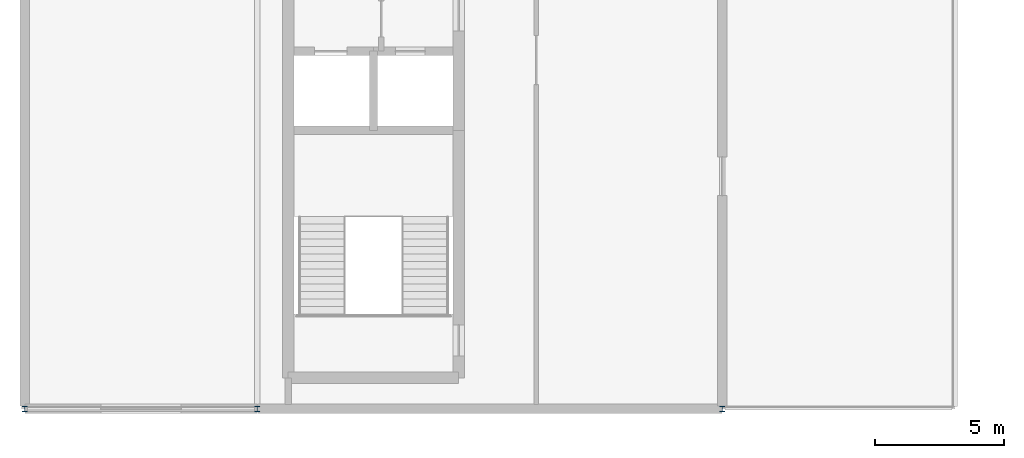
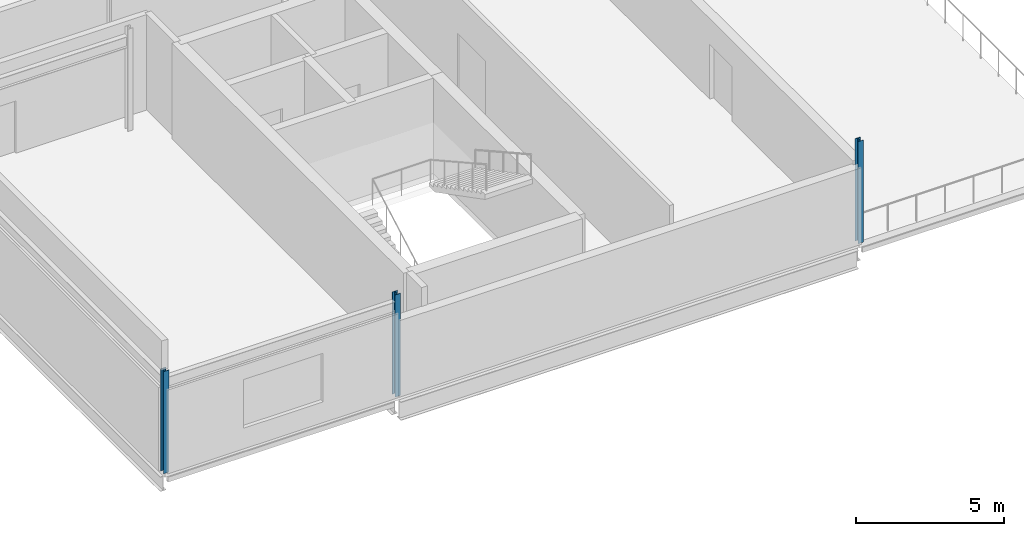
# One storey, part 1 of 23: 3 columns.
"""IFC4 building model written with IfcOpenShell, lengths in metres."""

from ifc_helpers import new_model, si_unit, direction, frame, origin, origin_2d, place, context, subcontext, project, spatial, i_section, extrude, material, material_profile, profile_set, type_object, element, save


model = new_model("IFC4")

# Units and contexts
model_context = context("Model", 3, precision=1e-05, world=origin(), true_north=direction((0.0, 1.0)))
body_context = subcontext(model_context, "Body", "Model", "MODEL_VIEW")
ifc_project = project(units=[si_unit("LENGTHUNIT", "METRE"), si_unit("AREAUNIT", "SQUARE_METRE"), si_unit("VOLUMEUNIT", "CUBIC_METRE"), si_unit("PLANEANGLEUNIT", "RADIAN"), si_unit("MASSUNIT", "GRAM", prefix="KILO")], contexts=[model_context])

# Site, building, storey
site_placement = place(None, origin())
site = spatial("IfcSite", under=ifc_project, at=site_placement, CompositionType="ELEMENT")
building_placement = place(site_placement, origin())
building = spatial("IfcBuilding", under=site, at=building_placement, Name="Kisiwana Market Hall", CompositionType="ELEMENT")
storey_placement = place(building_placement, frame((0.0, 0.0, 65.699951171875)))
storey = spatial("IfcBuildingStorey", under=building, at=storey_placement, Name="L15", CompositionType="ELEMENT", Elevation=65.699951171875)

# Columns
ifc_material = material(Name="Steel S355", Category="steel")
ifc_material_profile = material_profile(ifc_material, i_section(OverallWidth=0.205810546875, OverallDepth=0.209716796875, WebThickness=0.009521484375, FlangeThickness=0.01416015625, FilletRadius=0.01025390625, at=origin_2d()), Name="UC 203x203x60")
ifc_profile_set = profile_set([ifc_material_profile], Name="Steel S355")
column_type = type_object("IfcColumnType", Name="COL-STL-UC060", PredefinedType="COLUMN", material=ifc_profile_set)
for number, where, z_axis, x_axis, name in (
    (1, (0.0, 18.0, 0.0), (0.0, 0.0, 1.0), (1.0, 0.0, 0.0), "Column C/1 (L15) C-1480"),
    (2, (9.0, 18.0, 0.0), (0.0, 0.0, 1.0), (1.0, 0.0, 0.0), "Column C/2 (L15) C-1485"),
    (3, (27.0, 18.0, 0.0), (0.0, 0.0, 1.0), (1.0, 0.0, 0.0), "Column C/4 (L15) C-1489"),
):
    element("IfcColumn", number, at=place(storey_placement, frame(where, z_axis=z_axis, x_axis=x_axis)), inside=storey, type_object=column_type, Name=name, PredefinedType="COLUMN", context=body_context, shape_type="SweptSolid", body=[
        extrude(i_section(OverallWidth=0.205810546875, OverallDepth=0.209716796875, WebThickness=0.009521484375, FlangeThickness=0.01416015625, FilletRadius=0.01025390625, at=origin_2d()), origin(), (0.0, 0.0, 1.0), 4.199951171875),
    ])

save(model, "model.ifc")
